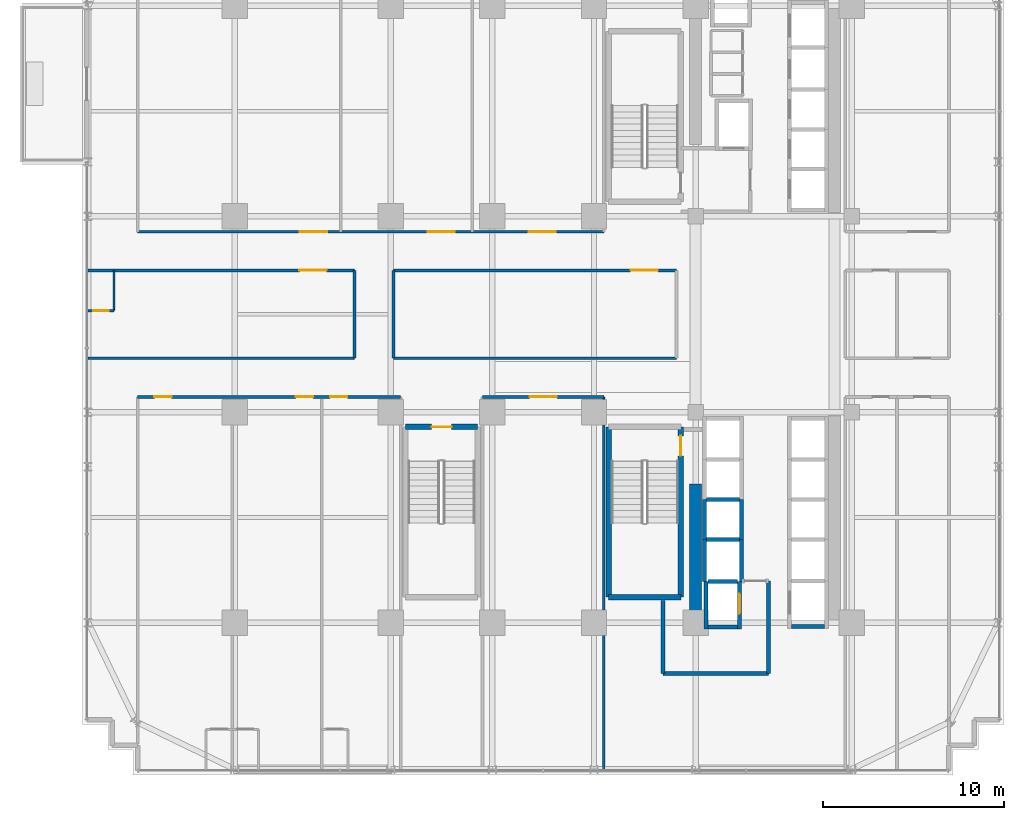
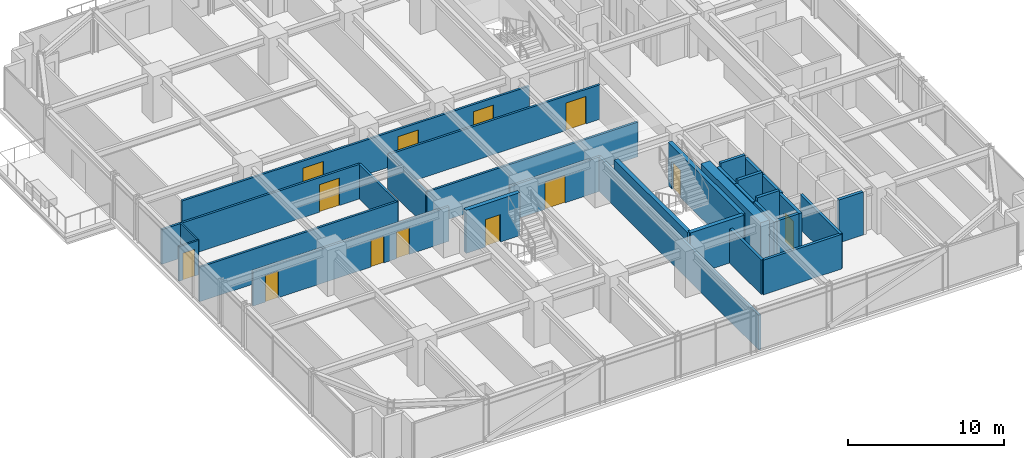
# One storey, part 29 of 36: 31 walls, 13 doors, 13 openings.
"""IFC4 building model written with IfcOpenShell, lengths in metres."""

from ifc_helpers import new_model, si_unit, direction, frame, frame_2d, origin, place, context, subcontext, project, spatial, rectangle, extrude, source, transform, mapped, material, layer, layer_set, type_object, element, fill, save


model = new_model("IFC4")

# Units and contexts
model_context = context("Model", 3, precision=1e-05, world=origin(), true_north=direction((0.0, 1.0)))
body_context = subcontext(model_context, "Body", "Model", "MODEL_VIEW")
ifc_project = project(units=[si_unit("LENGTHUNIT", "METRE"), si_unit("AREAUNIT", "SQUARE_METRE"), si_unit("VOLUMEUNIT", "CUBIC_METRE"), si_unit("PLANEANGLEUNIT", "RADIAN"), si_unit("MASSUNIT", "GRAM", prefix="KILO")], contexts=[model_context])

# Site, building, storey
site_placement = place(None, origin())
site = spatial("IfcSite", under=ifc_project, at=site_placement, CompositionType="ELEMENT")
building_placement = place(site_placement, origin())
building = spatial("IfcBuilding", under=site, at=building_placement, Name="Nahalor Promenade Grand Hotel", CompositionType="ELEMENT")
storey_placement = place(building_placement, frame((0.0, 0.0, 76.199951171875)))
storey = spatial("IfcBuildingStorey", under=building, at=storey_placement, Name="L18", CompositionType="ELEMENT", Elevation=76.199951171875)

# Walls
ifc_material_1 = material(Name="Concrete B-60 (C50/60)", Category="concrete")
ifc_layer_1 = layer(ifc_material_1, 0.64990234375)
ifc_layer_set_1 = layer_set([ifc_layer_1], Name="Concrete B-60 (C50/60)")
wall_type_1 = type_object("IfcWallType", Name="Wall-CoreShear-650", PredefinedType="SHEAR", material=ifc_layer_set_1)
shared_shape_1 = source(origin(), body_context, "Body", "SweptSolid", [
    extrude(rectangle(XDim=7.64990234375, YDim=0.64990234375, at=frame_2d((3.824951171875, 0.0))), origin(), (0.0, 0.0, 1.0), 3.3701171875),
])
wall_1_placement = place(storey_placement, frame((8.39990234375, -17.0, 0.0), z_axis=(0.0, 0.0, 1.0), x_axis=(0.0, 1.0, 0.0)))
element("IfcWall", 1, at=wall_1_placement, inside=storey, type_object=wall_type_1, Name="CWALL-L18-SW", PredefinedType="SHEAR", context=body_context, shape_type="MappedRepresentation", body=[
    mapped(shared_shape_1, transform((0.0, 0.0, 0.0), scale=1.0)),
])
ifc_material_2 = material(Name="Concrete B-50 (C40/50)", Category="concrete")
ifc_layer_2 = layer(ifc_material_2, 0.300048828125)
ifc_layer_set_2 = layer_set([ifc_layer_2], Name="Concrete B-50 (C40/50)")
wall_type_2 = type_object("IfcWallType", Name="Wall-ShaftShear-300", PredefinedType="SHEAR", material=ifc_layer_set_2)
shared_shape_2 = source(origin(), body_context, "Body", "SweptSolid", [
    extrude(rectangle(XDim=3.97998046875, YDim=0.300048828125, at=frame_2d((1.989990234375, 0.0))), origin(), (0.0, 0.0, 1.0), 3.3701171875),
])
wall_2_placement = place(storey_placement, frame((3.610107421875, -15.590087890625, 0.0), z_axis=(0.0, 0.0, 1.0), x_axis=(1.0, 0.0, 0.0)))
element("IfcWall", 2, at=wall_2_placement, inside=storey, type_object=wall_type_2, Name="L18 Exit Stair ST2 Shaft Wall S", PredefinedType="SHEAR", context=body_context, shape_type="MappedRepresentation", body=[
    mapped(shared_shape_2, transform((0.0, 0.0, 0.0), scale=1.0)),
])

# Wall, opening, door
wall_3_placement = place(storey_placement, frame((-7.590087890625, -6.2099609375, 0.0), z_axis=(0.0, 0.0, 1.0), x_axis=(1.0, 0.0, 0.0)))
wall_3 = element("IfcWall", 3, at=wall_3_placement, inside=storey, type_object=wall_type_2, Name="L18 Exit Stair ST3 Shaft Wall N", PredefinedType="SHEAR", context=body_context, shape_type="MappedRepresentation", body=[
    mapped(shared_shape_2, transform((0.0, 0.0, 0.0), scale=1.0)),
])
opening_1_placement = place(wall_3_placement, frame((1.43994140625, 0.0, 0.0)))
opening_1 = element("IfcOpeningElement", 4, at=opening_1_placement, cuts=wall_3, Name="Opening D-ST1", PredefinedType="OPENING", context=body_context, shape_type="SweptSolid", body=[
    extrude(rectangle(XDim=1.10009765625, YDim=2.14990234375, at=frame_2d((0.550048828125, 1.074951171875))), frame((0.0, 0.159912109375, 0.0), z_axis=(0.0, -1.0, 0.0), x_axis=(1.0, 0.0, 0.0)), (0.0, 0.0, 1.0), 0.320068359375),
])
ifc_material_3 = material(Name="Steel S355JR", Category="steel")
door_type_1 = type_object("IfcDoorType", Name="Door-StairFire-1100", OperationType="NOTDEFINED", PredefinedType="DOOR", material=ifc_material_3)
shared_shape_3 = source(origin(), body_context, "Body", "SweptSolid", [
    extrude(rectangle(XDim=1.10009765625, YDim=2.14990234375, at=frame_2d((0.550048828125, 1.074951171875))), frame((0.0, 0.02490234375, 0.0), z_axis=(0.0, -1.0, 0.0), x_axis=(1.0, 0.0, 0.0)), (0.0, 0.0, 1.0), 0.050048828125),
])
door_1_placement = place(opening_1_placement, frame((1.10009765625, 0.0, 0.0), z_axis=(0.0, 0.0, 1.0), x_axis=(-1.0, 0.0, 0.0)))
door_1 = element("IfcDoor", 5, at=door_1_placement, inside=storey, type_object=door_type_1, Name="DR-STAIR-ST3-L18", OperationType="SINGLE_SWING_LEFT", OverallHeight=2.14990234375, OverallWidth=1.10009765625, PredefinedType="DOOR", context=body_context, shape_type="MappedRepresentation", body=[
    mapped(shared_shape_3, transform((0.0, 0.0, 0.0), scale=1.0)),
])
fill(opening_1, door_1)

# Wall
shared_shape_4 = source(origin(), body_context, "Body", "SweptSolid", [
    extrude(rectangle(XDim=9.380126953125, YDim=0.300048828125, at=frame_2d((4.68994140625, 0.0))), origin(), (0.0, 0.0, 1.0), 3.3701171875),
])
wall_4_placement = place(storey_placement, frame((3.610107421875, -15.590087890625, 0.0), z_axis=(0.0, 0.0, 1.0), x_axis=(0.0, 1.0, 0.0)))
element("IfcWall", 6, at=wall_4_placement, inside=storey, type_object=wall_type_2, Name="L18 Exit Stair ST2 Shaft Wall W", PredefinedType="SHEAR", context=body_context, shape_type="MappedRepresentation", body=[
    mapped(shared_shape_4, transform((0.0, 0.0, 0.0), scale=1.0)),
])

# Wall, opening, door
wall_5_placement = place(storey_placement, frame((7.590087890625, -15.590087890625, 0.0), z_axis=(0.0, 0.0, 1.0), x_axis=(0.0, 1.0, 0.0)))
wall_5 = element("IfcWall", 7, at=wall_5_placement, inside=storey, type_object=wall_type_2, Name="L18 Exit Stair ST2 Shaft Wall E", PredefinedType="SHEAR", context=body_context, shape_type="MappedRepresentation", body=[
    mapped(shared_shape_4, transform((0.0, 0.0, 0.0), scale=1.0)),
])
opening_2_placement = place(wall_5_placement, frame((7.7900390625, 0.0, 0.0)))
opening_2 = element("IfcOpeningElement", 8, at=opening_2_placement, cuts=wall_5, Name="Opening D-ST1", PredefinedType="OPENING", context=body_context, shape_type="SweptSolid", body=[
    extrude(rectangle(XDim=1.10009765625, YDim=2.14990234375, at=frame_2d((0.550048828125, 1.074951171875))), frame((0.0, 0.159912109375, 0.0), z_axis=(0.0, -1.0, 0.0), x_axis=(1.0, 0.0, 0.0)), (0.0, 0.0, 1.0), 0.320068359375),
])
door_2_placement = place(opening_2_placement, origin())
door_2 = element("IfcDoor", 9, at=door_2_placement, inside=storey, type_object=door_type_1, Name="DR-STAIR-ST2-L18", OperationType="SINGLE_SWING_LEFT", OverallHeight=2.14990234375, OverallWidth=1.10009765625, PredefinedType="DOOR", context=body_context, shape_type="MappedRepresentation", body=[
    mapped(shared_shape_3, transform((0.0, 0.0, 0.0), scale=1.0)),
])
fill(opening_2, door_2)

# Walls
ifc_layer_3 = layer(ifc_material_2, 0.219970703125)
ifc_layer_set_3 = layer_set([ifc_layer_3], Name="Concrete B-50 (C40/50)")
wall_type_3 = type_object("IfcWallType", Name="Wall-LiftShaft-220", PredefinedType="SHEAR", material=ifc_layer_set_3)
shared_shape_5 = source(origin(), body_context, "Body", "SweptSolid", [
    extrude(rectangle(XDim=1.820068359375, YDim=0.219970703125, at=frame_2d((0.91015625, 0.0))), origin(), (0.0, 0.0, 1.0), 3.3701171875),
])
wall_6_placement = place(storey_placement, frame((13.68994140625, -17.199951171875, 0.0), z_axis=(0.0, 0.0, 1.0), x_axis=(1.0, 0.0, 0.0)))
element("IfcWall", 10, at=wall_6_placement, inside=storey, type_object=wall_type_3, Name="L18 Lift SV2 Hoistway Wall S", PredefinedType="SHEAR", context=body_context, shape_type="MappedRepresentation", body=[
    mapped(shared_shape_5, transform((0.0, 0.0, 0.0), scale=1.0)),
])
shared_shape_6 = source(origin(), body_context, "Body", "SweptSolid", [
    extrude(rectangle(XDim=1.820068359375, YDim=0.219970703125, at=frame_2d((0.91015625, 0.0))), origin(), (0.0, 0.0, 1.0), 3.650146484375),
])
for number, where, z_axis, x_axis, name in (
    (11, (8.989990234375, -10.199951171875, 0.0), (0.0, 0.0, 1.0), (1.0, 0.0, 0.0), "L18 Lift PL11 Hoistway Wall N"),
    (12, (8.989990234375, -12.39990234375, 0.0), (0.0, 0.0, 1.0), (1.0, 0.0, 0.0), "L18 Lift PL12 Hoistway Wall N"),
):
    element("IfcWall", number, at=place(storey_placement, frame(where, z_axis=z_axis, x_axis=x_axis)), inside=storey, type_object=wall_type_3, Name=name, PredefinedType="SHEAR", context=body_context, shape_type="MappedRepresentation", body=[
        mapped(shared_shape_6, transform((0.0, 0.0, 0.0), scale=1.0)),
    ])
shared_shape_7 = source(origin(), body_context, "Body", "SweptSolid", [
    extrude(rectangle(XDim=2.199951171875, YDim=0.219970703125, at=frame_2d((1.10009765625, 0.0))), origin(), (0.0, 0.0, 1.0), 3.3701171875),
])
for number, where, z_axis, x_axis, name in (
    (13, (8.8798828125, -12.39990234375, 0.0), (0.0, 0.0, 1.0), (0.0, 1.0, 0.0), "L18 Lift PL11 Hoistway Wall W"),
    (14, (10.919921875, -12.39990234375, 0.0), (0.0, 0.0, 1.0), (0.0, 1.0, 0.0), "L18 Lift PL11 Hoistway Wall E"),
):
    element("IfcWall", number, at=place(storey_placement, frame(where, z_axis=z_axis, x_axis=x_axis)), inside=storey, type_object=wall_type_3, Name=name, PredefinedType="SHEAR", context=body_context, shape_type="MappedRepresentation", body=[
        mapped(shared_shape_7, transform((0.0, 0.0, 0.0), scale=1.0)),
    ])
shared_shape_8 = source(origin(), body_context, "Body", "SweptSolid", [
    extrude(rectangle(XDim=2.3251953125, YDim=0.219970703125, at=frame_2d((1.16259765625, 0.0))), origin(), (0.0, 0.0, 1.0), 3.3701171875),
])
for number, where, z_axis, x_axis, name in (
    (15, (8.8798828125, -14.72509765625, 0.0), (0.0, 0.0, 1.0), (0.0, 1.0, 0.0), "L18 Lift PL12 Hoistway Wall W"),
    (16, (10.919921875, -14.72509765625, 0.0), (0.0, 0.0, 1.0), (0.0, 1.0, 0.0), "L18 Lift PL12 Hoistway Wall E"),
):
    element("IfcWall", number, at=place(storey_placement, frame(where, z_axis=z_axis, x_axis=x_axis)), inside=storey, type_object=wall_type_3, Name=name, PredefinedType="SHEAR", context=body_context, shape_type="MappedRepresentation", body=[
        mapped(shared_shape_8, transform((0.0, 0.0, 0.0), scale=1.0)),
    ])
shared_shape_9 = source(origin(), body_context, "Body", "SweptSolid", [
    extrude(rectangle(XDim=2.635009765625, YDim=0.219970703125, at=frame_2d((1.3173828125, 0.0))), origin(), (0.0, 0.0, 1.0), 3.3701171875),
])
wall_7_placement = place(storey_placement, frame((8.97998046875, -17.360107421875, 0.0), z_axis=(0.0, 0.0, 1.0), x_axis=(0.0, 1.0, 0.0)))
element("IfcWall", 17, at=wall_7_placement, inside=storey, type_object=wall_type_3, Name="L18 Lift FL2 Hoistway Wall W", PredefinedType="SHEAR", context=body_context, shape_type="MappedRepresentation", body=[
    mapped(shared_shape_9, transform((0.0, 0.0, 0.0), scale=1.0)),
])

# Wall, opening, door
wall_8_placement = place(storey_placement, frame((10.820068359375, -17.360107421875, 0.0), z_axis=(0.0, 0.0, 1.0), x_axis=(0.0, 1.0, 0.0)))
wall_8 = element("IfcWall", 18, at=wall_8_placement, inside=storey, type_object=wall_type_3, Name="L18 Lift FL2 Hoistway Wall E", PredefinedType="SHEAR", context=body_context, shape_type="MappedRepresentation", body=[
    mapped(shared_shape_9, transform((0.0, 0.0, 0.0), scale=1.0)),
])
opening_3_placement = place(wall_8_placement, frame((0.860107421875, 0.0, 0.0)))
opening_3 = element("IfcOpeningElement", 19, at=opening_3_placement, cuts=wall_8, Name="Opening LD-02", PredefinedType="OPENING", context=body_context, shape_type="SweptSolid", body=[
    extrude(rectangle(XDim=1.10009765625, YDim=2.199951171875, at=frame_2d((0.550048828125, 1.10009765625))), frame((0.0, 0.119873046875, 0.0), z_axis=(0.0, -1.0, 0.0), x_axis=(1.0, 0.0, 0.0)), (0.0, 0.0, 1.0), 0.239990234375),
])
door_type_2 = type_object("IfcDoorType", Name="Door-LiftFF-1100", OperationType="DOUBLE_DOOR_SLIDING", PredefinedType="DOOR", material=ifc_material_3)
shared_shape_10 = source(origin(), body_context, "Body", "SweptSolid", [
    extrude(rectangle(XDim=1.10009765625, YDim=2.199951171875, at=frame_2d((0.550048828125, 1.10009765625))), frame((0.0, 0.02490234375, 0.0), z_axis=(0.0, -1.0, 0.0), x_axis=(1.0, 0.0, 0.0)), (0.0, 0.0, 1.0), 0.050048828125),
])
door_3_placement = place(opening_3_placement, frame((1.10009765625, 0.0, 0.0), z_axis=(0.0, 0.0, 1.0), x_axis=(-1.0, 0.0, 0.0)))
door_3 = element("IfcDoor", 20, at=door_3_placement, inside=storey, type_object=door_type_2, Name="DR-LIFT-FL2-L18", OperationType="DOUBLE_DOOR_SLIDING", OverallHeight=2.199951171875, OverallWidth=1.10009765625, PredefinedType="DOOR", context=body_context, shape_type="MappedRepresentation", body=[
    mapped(shared_shape_10, transform((0.0, 0.0, 0.0), scale=1.0)),
])
fill(opening_3, door_3)

# Walls
shared_shape_11 = source(origin(), body_context, "Body", "SweptSolid", [
    extrude(rectangle(XDim=1.619873046875, YDim=0.219970703125, at=frame_2d((0.81005859375, 0.0))), origin(), (0.0, 0.0, 1.0), 3.3701171875),
])
wall_9_placement = place(storey_placement, frame((9.090087890625, -17.25, 0.0), z_axis=(0.0, 0.0, 1.0), x_axis=(1.0, 0.0, 0.0)))
element("IfcWall", 21, at=wall_9_placement, inside=storey, type_object=wall_type_3, Name="L18 Lift FL2 Hoistway Wall S", PredefinedType="SHEAR", context=body_context, shape_type="MappedRepresentation", body=[
    mapped(shared_shape_11, transform((0.0, 0.0, 0.0), scale=1.0)),
])
shared_shape_12 = source(origin(), body_context, "Body", "SweptSolid", [
    extrude(rectangle(XDim=1.619873046875, YDim=0.219970703125, at=frame_2d((0.81005859375, 0.0))), origin(), (0.0, 0.0, 1.0), 3.650146484375),
])
wall_10_placement = place(storey_placement, frame((9.090087890625, -14.72509765625, 0.0), z_axis=(0.0, 0.0, 1.0), x_axis=(1.0, 0.0, 0.0)))
element("IfcWall", 22, at=wall_10_placement, inside=storey, type_object=wall_type_3, Name="L18 Lift FL2 Hoistway Wall N", PredefinedType="SHEAR", context=body_context, shape_type="MappedRepresentation", body=[
    mapped(shared_shape_12, transform((0.0, 0.0, 0.0), scale=1.0)),
])
ifc_material_4 = material(Name="Concrete B-40 (C32/40)", Category="concrete")
ifc_layer_4 = layer(ifc_material_4, 0.199951171875)
ifc_layer_set_4 = layer_set([ifc_layer_4], Name="Concrete B-40 (C32/40)")
wall_type_4 = type_object("IfcWallType", Name="Wall-PartFire-200", PredefinedType="PARTITIONING", material=ifc_layer_set_4)
shared_shape_13 = source(origin(), body_context, "Body", "SweptSolid", [
    extrude(rectangle(XDim=5.81982421875, YDim=0.199951171875, at=frame_2d((2.909912109375, 0.0))), origin(), (0.0, 0.0, 1.0), 2.7099609375),
])
wall_11_placement = place(storey_placement, frame((6.60009765625, -19.800048828125, 0.0), z_axis=(0.0, 0.0, 1.0), x_axis=(1.0, 0.0, 0.0)))
element("IfcWall", 23, at=wall_11_placement, inside=storey, type_object=wall_type_4, Name="W-L18-FF2-S1", PredefinedType="PARTITIONING", context=body_context, shape_type="MappedRepresentation", body=[
    mapped(shared_shape_13, transform((0.0, 0.0, 0.0), scale=1.0)),
])
shared_shape_14 = source(origin(), body_context, "Body", "SweptSolid", [
    extrude(rectangle(XDim=4.030029296875, YDim=0.199951171875, at=frame_2d((2.01513671875, 0.0))), origin(), (0.0, 0.0, 1.0), 2.7099609375),
])
wall_12_placement = place(storey_placement, frame((6.60009765625, -19.800048828125, 0.0), z_axis=(0.0, 0.0, 1.0), x_axis=(0.0, 1.0, 0.0)))
element("IfcWall", 24, at=wall_12_placement, inside=storey, type_object=wall_type_4, Name="W-L18-FF2-W1", PredefinedType="PARTITIONING", context=body_context, shape_type="MappedRepresentation", body=[
    mapped(shared_shape_14, transform((0.0, 0.0, 0.0), scale=1.0)),
])
shared_shape_15 = source(origin(), body_context, "Body", "SweptSolid", [
    extrude(rectangle(XDim=5.10009765625, YDim=0.199951171875, at=frame_2d((2.550048828125, 0.0))), origin(), (0.0, 0.0, 1.0), 2.7099609375),
])
wall_13_placement = place(storey_placement, frame((12.419921875, -19.800048828125, 0.0), z_axis=(0.0, 0.0, 1.0), x_axis=(0.0, 1.0, 0.0)))
element("IfcWall", 25, at=wall_13_placement, inside=storey, type_object=wall_type_4, Name="W-L18-FF2-E", PredefinedType="PARTITIONING", context=body_context, shape_type="MappedRepresentation", body=[
    mapped(shared_shape_15, transform((0.0, 0.0, 0.0), scale=1.0)),
])
ifc_material_5 = material(Name="Acoustic Mineral Gypsum", Category="gypsum")
ifc_layer_5 = layer(ifc_material_5, 0.159912109375)
ifc_layer_set_5 = layer_set([ifc_layer_5], Name="Acoustic Mineral Gypsum")
wall_type_5 = type_object("IfcWallType", Name="Wall-PartCorridor-160", PredefinedType="PARTITIONING", material=ifc_layer_set_5)
shared_shape_16 = source(origin(), body_context, "Body", "SweptSolid", [
    extrude(rectangle(XDim=20.550048828125, YDim=0.159912109375, at=frame_2d((10.27490234375, 0.0))), origin(), (0.0, 0.0, 1.0), 2.7099609375),
])
wall_14_placement = place(storey_placement, frame((3.340087890625, -25.10009765625, 0.0), z_axis=(0.0, 0.0, 1.0), x_axis=(0.0, 1.0, 0.0)))
element("IfcWall", 26, at=wall_14_placement, inside=storey, type_object=wall_type_5, Name="W-L18-SCB-E", PredefinedType="PARTITIONING", context=body_context, shape_type="MappedRepresentation", body=[
    mapped(shared_shape_16, transform((0.0, 0.0, 0.0), scale=1.0)),
])

# Wall, openings, doors
shared_shape_17 = source(origin(), body_context, "Body", "SweptSolid", [
    extrude(rectangle(XDim=25.7001953125, YDim=0.159912109375, at=frame_2d((12.85009765625, 0.0))), origin(), (0.0, 0.0, 1.0), 2.7099609375),
])
wall_15_placement = place(storey_placement, frame((-22.360107421875, 4.550048828125, 0.0), z_axis=(0.0, 0.0, 1.0), x_axis=(1.0, 0.0, 0.0)))
wall_15 = element("IfcWall", 27, at=wall_15_placement, inside=storey, type_object=wall_type_5, Name="W-L18-CORR-N", PredefinedType="PARTITIONING", context=body_context, shape_type="MappedRepresentation", body=[
    mapped(shared_shape_17, transform((0.0, 0.0, 0.0), scale=1.0)),
])
opening_4_placement = place(wall_15_placement, frame((8.9541015625, 0.0, 0.0)))
opening_4 = element("IfcOpeningElement", 28, at=opening_4_placement, cuts=wall_15, Name="Opening D-02", PredefinedType="OPENING", context=body_context, shape_type="SweptSolid", body=[
    extrude(rectangle(XDim=1.5, YDim=2.14990234375, at=frame_2d((0.75, 1.074951171875))), frame((0.0, 0.08984375, 0.0), z_axis=(0.0, -1.0, 0.0), x_axis=(1.0, 0.0, 0.0)), (0.0, 0.0, 1.0), 0.179931640625),
])
opening_5_placement = place(wall_15_placement, frame((15.985107421875, 0.0, 0.0)))
opening_5 = element("IfcOpeningElement", 29, at=opening_5_placement, cuts=wall_15, Name="Opening D-02", PredefinedType="OPENING", context=body_context, shape_type="SweptSolid", body=[
    extrude(rectangle(XDim=1.5, YDim=2.14990234375, at=frame_2d((0.75, 1.074951171875))), frame((0.0, 0.08984375, 0.0), z_axis=(0.0, -1.0, 0.0), x_axis=(1.0, 0.0, 0.0)), (0.0, 0.0, 1.0), 0.179931640625),
])
opening_6_placement = place(wall_15_placement, frame((21.56396484375, 0.0, 0.0)))
opening_6 = element("IfcOpeningElement", 30, at=opening_6_placement, cuts=wall_15, Name="Opening D-02", PredefinedType="OPENING", context=body_context, shape_type="SweptSolid", body=[
    extrude(rectangle(XDim=1.5, YDim=2.14990234375, at=frame_2d((0.75, 1.074951171875))), frame((0.0, 0.08984375, 0.0), z_axis=(0.0, -1.0, 0.0), x_axis=(1.0, 0.0, 0.0)), (0.0, 0.0, 1.0), 0.179931640625),
])
ifc_material_6 = material(Name="Fire-Rated Timber Composite", Category="wood")
door_type_3 = type_object("IfcDoorType", Name="Door-SuiteDouble-1500", OperationType="DOUBLE_DOOR_SINGLE_SWING", PredefinedType="DOOR", material=ifc_material_6)
shared_shape_18 = source(origin(), body_context, "Body", "SweptSolid", [
    extrude(rectangle(XDim=1.5, YDim=2.14990234375, at=frame_2d((0.75, 1.074951171875))), frame((0.0, 0.02490234375, 0.0), z_axis=(0.0, -1.0, 0.0), x_axis=(1.0, 0.0, 0.0)), (0.0, 0.0, 1.0), 0.050048828125),
])
door_4_placement = place(opening_4_placement, origin())
door_4 = element("IfcDoor", 31, at=door_4_placement, inside=storey, type_object=door_type_3, Name="DR-L18-N1-ENT", OperationType="DOUBLE_DOOR_SINGLE_SWING", OverallHeight=2.14990234375, OverallWidth=1.5, PredefinedType="DOOR", context=body_context, shape_type="MappedRepresentation", body=[
    mapped(shared_shape_18, transform((0.0, 0.0, 0.0), scale=1.0)),
])
fill(opening_4, door_4)
door_5_placement = place(opening_5_placement, origin())
door_5 = element("IfcDoor", 32, at=door_5_placement, inside=storey, type_object=door_type_3, Name="DR-L18-N2-ENT", OperationType="DOUBLE_DOOR_SINGLE_SWING", OverallHeight=2.14990234375, OverallWidth=1.5, PredefinedType="DOOR", context=body_context, shape_type="MappedRepresentation", body=[
    mapped(shared_shape_18, transform((0.0, 0.0, 0.0), scale=1.0)),
])
fill(opening_5, door_5)
door_6_placement = place(opening_6_placement, origin())
door_6 = element("IfcDoor", 33, at=door_6_placement, inside=storey, type_object=door_type_3, Name="DR-L18-N3-ENT", OperationType="DOUBLE_DOOR_SINGLE_SWING", OverallHeight=2.14990234375, OverallWidth=1.5, PredefinedType="DOOR", context=body_context, shape_type="MappedRepresentation", body=[
    mapped(shared_shape_18, transform((0.0, 0.0, 0.0), scale=1.0)),
])
fill(opening_6, door_6)

# Wall, opening, door
ifc_layer_6 = layer(ifc_material_5, 0.1201171875)
ifc_layer_set_6 = layer_set([ifc_layer_6], Name="Acoustic Mineral Gypsum")
wall_type_6 = type_object("IfcWallType", Name="Wall-PartBath-120", PredefinedType="PARTITIONING", material=ifc_layer_set_6)
shared_shape_19 = source(origin(), body_context, "Body", "SweptSolid", [
    extrude(rectangle(XDim=1.4501953125, YDim=0.1201171875, at=frame_2d((0.72509765625, 0.0))), origin(), (0.0, 0.0, 1.0), 2.7099609375),
])
wall_16_placement = place(storey_placement, frame((-25.10009765625, 0.199951171875, 0.0), z_axis=(0.0, 0.0, 1.0), x_axis=(1.0, 0.0, 0.0)))
wall_16 = element("IfcWall", 34, at=wall_16_placement, inside=storey, type_object=wall_type_6, Name="W-L18-W1-BH", PredefinedType="PARTITIONING", context=body_context, shape_type="MappedRepresentation", body=[
    mapped(shared_shape_19, transform((0.0, 0.0, 0.0), scale=1.0)),
])
opening_7_placement = place(wall_16_placement, frame((0.284912109375, 0.0, 0.0)))
opening_7 = element("IfcOpeningElement", 35, at=opening_7_placement, cuts=wall_16, Name="Opening D-03", PredefinedType="OPENING", context=body_context, shape_type="SweptSolid", body=[
    extrude(rectangle(XDim=0.8798828125, YDim=2.10009765625, at=frame_2d((0.43994140625, 1.050048828125))), frame((0.0, 0.070068359375, 0.0), z_axis=(0.0, -1.0, 0.0), x_axis=(1.0, 0.0, 0.0)), (0.0, 0.0, 1.0), 0.14013671875),
])
door_type_4 = type_object("IfcDoorType", Name="Door-BathSwing-880", OperationType="NOTDEFINED", PredefinedType="DOOR", material=ifc_material_6)
shared_shape_20 = source(origin(), body_context, "Body", "SweptSolid", [
    extrude(rectangle(XDim=0.8798828125, YDim=2.10009765625, at=frame_2d((0.43994140625, 1.050048828125))), frame((0.0, 0.02490234375, 0.0), z_axis=(0.0, -1.0, 0.0), x_axis=(1.0, 0.0, 0.0)), (0.0, 0.0, 1.0), 0.050048828125),
])
door_7_placement = place(opening_7_placement, origin())
door_7 = element("IfcDoor", 36, at=door_7_placement, inside=storey, type_object=door_type_4, Name="DR-L18-W1-BATH", OperationType="SINGLE_SWING_LEFT", OverallHeight=2.10009765625, OverallWidth=0.8798828125, PredefinedType="DOOR", context=body_context, shape_type="MappedRepresentation", body=[
    mapped(shared_shape_20, transform((0.0, 0.0, 0.0), scale=1.0)),
])
fill(opening_7, door_7)

# Wall, openings, doors
shared_shape_21 = source(origin(), body_context, "Body", "SweptSolid", [
    extrude(rectangle(XDim=14.5, YDim=0.159912109375, at=frame_2d((7.25, 0.0))), origin(), (0.0, 0.0, 1.0), 2.7099609375),
])
wall_17_placement = place(storey_placement, frame((-22.360107421875, -4.550048828125, 0.0), z_axis=(0.0, 0.0, 1.0), x_axis=(1.0, 0.0, 0.0)))
wall_17 = element("IfcWall", 37, at=wall_17_placement, inside=storey, type_object=wall_type_5, Name="W-L18-CORR-S", PredefinedType="PARTITIONING", context=body_context, shape_type="MappedRepresentation", body=[
    mapped(shared_shape_21, transform((0.0, 0.0, 0.0), scale=1.0)),
])
opening_8_placement = place(wall_17_placement, frame((0.931884765625, 0.0, 0.0)))
opening_8 = element("IfcOpeningElement", 38, at=opening_8_placement, cuts=wall_17, Name="Opening D-01", PredefinedType="OPENING", context=body_context, shape_type="SweptSolid", body=[
    extrude(rectangle(XDim=0.949951171875, YDim=2.10009765625, at=frame_2d((0.47509765625, 1.050048828125))), frame((0.0, 0.08984375, 0.0), z_axis=(0.0, -1.0, 0.0), x_axis=(1.0, 0.0, 0.0)), (0.0, 0.0, 1.0), 0.179931640625),
])
opening_9_placement = place(wall_17_placement, frame((8.72607421875, 0.0, 0.0)))
opening_9 = element("IfcOpeningElement", 39, at=opening_9_placement, cuts=wall_17, Name="Opening D-01", PredefinedType="OPENING", context=body_context, shape_type="SweptSolid", body=[
    extrude(rectangle(XDim=0.949951171875, YDim=2.10009765625, at=frame_2d((0.47509765625, 1.050048828125))), frame((0.0, 0.08984375, 0.0), z_axis=(0.0, -1.0, 0.0), x_axis=(1.0, 0.0, 0.0)), (0.0, 0.0, 1.0), 0.179931640625),
])
opening_10_placement = place(wall_17_placement, frame((10.611083984375, 0.0, 0.0)))
opening_10 = element("IfcOpeningElement", 40, at=opening_10_placement, cuts=wall_17, Name="Opening D-01", PredefinedType="OPENING", context=body_context, shape_type="SweptSolid", body=[
    extrude(rectangle(XDim=0.949951171875, YDim=2.10009765625, at=frame_2d((0.47509765625, 1.050048828125))), frame((0.0, 0.08984375, 0.0), z_axis=(0.0, -1.0, 0.0), x_axis=(1.0, 0.0, 0.0)), (0.0, 0.0, 1.0), 0.179931640625),
])
door_type_5 = type_object("IfcDoorType", Name="Door-GuestEntry-950", OperationType="NOTDEFINED", PredefinedType="DOOR", material=ifc_material_6)
shared_shape_22 = source(origin(), body_context, "Body", "SweptSolid", [
    extrude(rectangle(XDim=0.949951171875, YDim=2.10009765625, at=frame_2d((0.47509765625, 1.050048828125))), frame((0.0, 0.02490234375, 0.0), z_axis=(0.0, -1.0, 0.0), x_axis=(1.0, 0.0, 0.0)), (0.0, 0.0, 1.0), 0.050048828125),
])
door_8_placement = place(opening_8_placement, frame((0.949951171875, 0.0, 0.0), z_axis=(0.0, 0.0, 1.0), x_axis=(-1.0, 0.0, 0.0)))
door_8 = element("IfcDoor", 41, at=door_8_placement, inside=storey, type_object=door_type_5, Name="DR-L18-S1-ENT", OperationType="SINGLE_SWING_RIGHT", OverallHeight=2.10009765625, OverallWidth=0.949951171875, PredefinedType="DOOR", context=body_context, shape_type="MappedRepresentation", body=[
    mapped(shared_shape_22, transform((0.0, 0.0, 0.0), scale=1.0)),
])
fill(opening_8, door_8)
door_9_placement = place(opening_9_placement, frame((0.949951171875, 0.0, 0.0), z_axis=(0.0, 0.0, 1.0), x_axis=(-1.0, 0.0, 0.0)))
door_9 = element("IfcDoor", 42, at=door_9_placement, inside=storey, type_object=door_type_5, Name="DR-L18-S2-ENT", OperationType="SINGLE_SWING_RIGHT", OverallHeight=2.10009765625, OverallWidth=0.949951171875, PredefinedType="DOOR", context=body_context, shape_type="MappedRepresentation", body=[
    mapped(shared_shape_22, transform((0.0, 0.0, 0.0), scale=1.0)),
])
fill(opening_9, door_9)
door_10_placement = place(opening_10_placement, frame((0.949951171875, 0.0, 0.0), z_axis=(0.0, 0.0, 1.0), x_axis=(-1.0, 0.0, 0.0)))
door_10 = element("IfcDoor", 43, at=door_10_placement, inside=storey, type_object=door_type_5, Name="DR-L18-S3-ENT", OperationType="SINGLE_SWING_RIGHT", OverallHeight=2.10009765625, OverallWidth=0.949951171875, PredefinedType="DOOR", context=body_context, shape_type="MappedRepresentation", body=[
    mapped(shared_shape_22, transform((0.0, 0.0, 0.0), scale=1.0)),
])
fill(opening_10, door_10)

# Walls
shared_shape_23 = source(origin(), body_context, "Body", "SweptSolid", [
    extrude(rectangle(XDim=4.83984375, YDim=0.159912109375, at=frame_2d((2.419921875, 0.0))), origin(), (0.0, 0.0, 1.0), 2.7099609375),
])
for number, where, z_axis, x_axis, name in (
    (44, (-10.39990234375, -2.419921875, 0.0), (0.0, 0.0, 1.0), (0.0, 1.0, 0.0), "W-L18-WEST-E"),
    (45, (-8.25, -2.419921875, 0.0), (0.0, 0.0, 1.0), (0.0, 1.0, 0.0), "W-L18-CM1-W"),
):
    element("IfcWall", number, at=place(storey_placement, frame(where, z_axis=z_axis, x_axis=x_axis)), inside=storey, type_object=wall_type_5, Name=name, PredefinedType="PARTITIONING", context=body_context, shape_type="MappedRepresentation", body=[
        mapped(shared_shape_23, transform((0.0, 0.0, 0.0), scale=1.0)),
    ])
shared_shape_24 = source(origin(), body_context, "Body", "SweptSolid", [
    extrude(rectangle(XDim=2.219970703125, YDim=0.1201171875, at=frame_2d((1.10986328125, 0.0))), origin(), (0.0, 0.0, 1.0), 2.7099609375),
])
wall_18_placement = place(storey_placement, frame((-23.64990234375, 0.199951171875, 0.0), z_axis=(0.0, 0.0, 1.0), x_axis=(0.0, 1.0, 0.0)))
element("IfcWall", 46, at=wall_18_placement, inside=storey, type_object=wall_type_6, Name="W-L18-W1-BV", PredefinedType="PARTITIONING", context=body_context, shape_type="MappedRepresentation", body=[
    mapped(shared_shape_24, transform((0.0, 0.0, 0.0), scale=1.0)),
])

# Wall, opening, door
shared_shape_25 = source(origin(), body_context, "Body", "SweptSolid", [
    extrude(rectangle(XDim=6.68017578125, YDim=0.159912109375, at=frame_2d((3.340087890625, 0.0))), origin(), (0.0, 0.0, 1.0), 2.7099609375),
])
wall_19_placement = place(storey_placement, frame((-3.340087890625, -4.550048828125, 0.0), z_axis=(0.0, 0.0, 1.0), x_axis=(1.0, 0.0, 0.0)))
wall_19 = element("IfcWall", 47, at=wall_19_placement, inside=storey, type_object=wall_type_5, Name="W-L18-SCB-N", PredefinedType="PARTITIONING", context=body_context, shape_type="MappedRepresentation", body=[
    mapped(shared_shape_25, transform((0.0, 0.0, 0.0), scale=1.0)),
])
opening_11_placement = place(wall_19_placement, frame((2.590087890625, 0.0, 0.0)))
opening_11 = element("IfcOpeningElement", 48, at=opening_11_placement, cuts=wall_19, Name="Opening D-02", PredefinedType="OPENING", context=body_context, shape_type="SweptSolid", body=[
    extrude(rectangle(XDim=1.5, YDim=2.14990234375, at=frame_2d((0.75, 1.074951171875))), frame((0.0, 0.08984375, 0.0), z_axis=(0.0, -1.0, 0.0), x_axis=(1.0, 0.0, 0.0)), (0.0, 0.0, 1.0), 0.179931640625),
])
door_11_placement = place(opening_11_placement, frame((1.5, 0.0, 0.0), z_axis=(0.0, 0.0, 1.0), x_axis=(-1.0, 0.0, 0.0)))
door_11 = element("IfcDoor", 49, at=door_11_placement, inside=storey, type_object=door_type_3, Name="DR-L18-SCB", OperationType="DOUBLE_DOOR_SINGLE_SWING", OverallHeight=2.14990234375, OverallWidth=1.5, PredefinedType="DOOR", context=body_context, shape_type="MappedRepresentation", body=[
    mapped(shared_shape_18, transform((0.0, 0.0, 0.0), scale=1.0)),
])
fill(opening_11, door_11)

shared_shape_26 = source(origin(), body_context, "Body", "SweptSolid", [
    extrude(rectangle(XDim=14.7001953125, YDim=0.159912109375, at=frame_2d((7.35009765625, 0.0))), origin(), (0.0, 0.0, 1.0), 2.7099609375),
])
wall_20_placement = place(storey_placement, frame((-25.10009765625, 2.419921875, 0.0), z_axis=(0.0, 0.0, 1.0), x_axis=(1.0, 0.0, 0.0)))
wall_20 = element("IfcWall", 50, at=wall_20_placement, inside=storey, type_object=wall_type_5, Name="W-L18-WEST-N", PredefinedType="PARTITIONING", context=body_context, shape_type="MappedRepresentation", body=[
    mapped(shared_shape_26, transform((0.0, 0.0, 0.0), scale=1.0)),
])
opening_12_placement = place(wall_20_placement, frame((11.6630859375, 0.0, 0.0)))
opening_12 = element("IfcOpeningElement", 51, at=opening_12_placement, cuts=wall_20, Name="Opening D-02", PredefinedType="OPENING", context=body_context, shape_type="SweptSolid", body=[
    extrude(rectangle(XDim=1.5, YDim=2.14990234375, at=frame_2d((0.75, 1.074951171875))), frame((0.0, 0.08984375, 0.0), z_axis=(0.0, -1.0, 0.0), x_axis=(1.0, 0.0, 0.0)), (0.0, 0.0, 1.0), 0.179931640625),
])
door_12_placement = place(opening_12_placement, origin())
door_12 = element("IfcDoor", 52, at=door_12_placement, inside=storey, type_object=door_type_3, Name="DR-L18-W1-ENT", OperationType="DOUBLE_DOOR_SINGLE_SWING", OverallHeight=2.14990234375, OverallWidth=1.5, PredefinedType="DOOR", context=body_context, shape_type="MappedRepresentation", body=[
    mapped(shared_shape_18, transform((0.0, 0.0, 0.0), scale=1.0)),
])
fill(opening_12, door_12)

# Walls
wall_21_placement = place(storey_placement, frame((-25.10009765625, -2.419921875, 0.0), z_axis=(0.0, 0.0, 1.0), x_axis=(1.0, 0.0, 0.0)))
element("IfcWall", 53, at=wall_21_placement, inside=storey, type_object=wall_type_5, Name="W-L18-WEST-S", PredefinedType="PARTITIONING", context=body_context, shape_type="MappedRepresentation", body=[
    mapped(shared_shape_26, transform((0.0, 0.0, 0.0), scale=1.0)),
])
shared_shape_27 = source(origin(), body_context, "Body", "SweptSolid", [
    extrude(rectangle(XDim=15.60009765625, YDim=0.159912109375, at=frame_2d((7.800048828125, 0.0))), origin(), (0.0, 0.0, 1.0), 2.7099609375),
])
wall_22_placement = place(storey_placement, frame((-8.25, -2.419921875, 0.0), z_axis=(0.0, 0.0, 1.0), x_axis=(1.0, 0.0, 0.0)))
element("IfcWall", 54, at=wall_22_placement, inside=storey, type_object=wall_type_5, Name="W-L18-CM1-S", PredefinedType="PARTITIONING", context=body_context, shape_type="MappedRepresentation", body=[
    mapped(shared_shape_27, transform((0.0, 0.0, 0.0), scale=1.0)),
])

# Wall, opening, door
wall_23_placement = place(storey_placement, frame((-8.25, 2.419921875, 0.0), z_axis=(0.0, 0.0, 1.0), x_axis=(1.0, 0.0, 0.0)))
wall_23 = element("IfcWall", 55, at=wall_23_placement, inside=storey, type_object=wall_type_5, Name="W-L18-CM1-N", PredefinedType="PARTITIONING", context=body_context, shape_type="MappedRepresentation", body=[
    mapped(shared_shape_27, transform((0.0, 0.0, 0.0), scale=1.0)),
])
opening_13_placement = place(wall_23_placement, frame((13.06689453125, 0.0, 0.0)))
opening_13 = element("IfcOpeningElement", 56, at=opening_13_placement, cuts=wall_23, Name="Opening D-02", PredefinedType="OPENING", context=body_context, shape_type="SweptSolid", body=[
    extrude(rectangle(XDim=1.5, YDim=2.14990234375, at=frame_2d((0.75, 1.074951171875))), frame((0.0, 0.08984375, 0.0), z_axis=(0.0, -1.0, 0.0), x_axis=(1.0, 0.0, 0.0)), (0.0, 0.0, 1.0), 0.179931640625),
])
door_13_placement = place(opening_13_placement, frame((1.5, 0.0, 0.0), z_axis=(0.0, 0.0, 1.0), x_axis=(-1.0, 0.0, 0.0)))
door_13 = element("IfcDoor", 57, at=door_13_placement, inside=storey, type_object=door_type_3, Name="DR-L18-CM1", OperationType="DOUBLE_DOOR_SINGLE_SWING", OverallHeight=2.14990234375, OverallWidth=1.5, PredefinedType="DOOR", context=body_context, shape_type="MappedRepresentation", body=[
    mapped(shared_shape_18, transform((0.0, 0.0, 0.0), scale=1.0)),
])
fill(opening_13, door_13)

save(model, "model.ifc")
